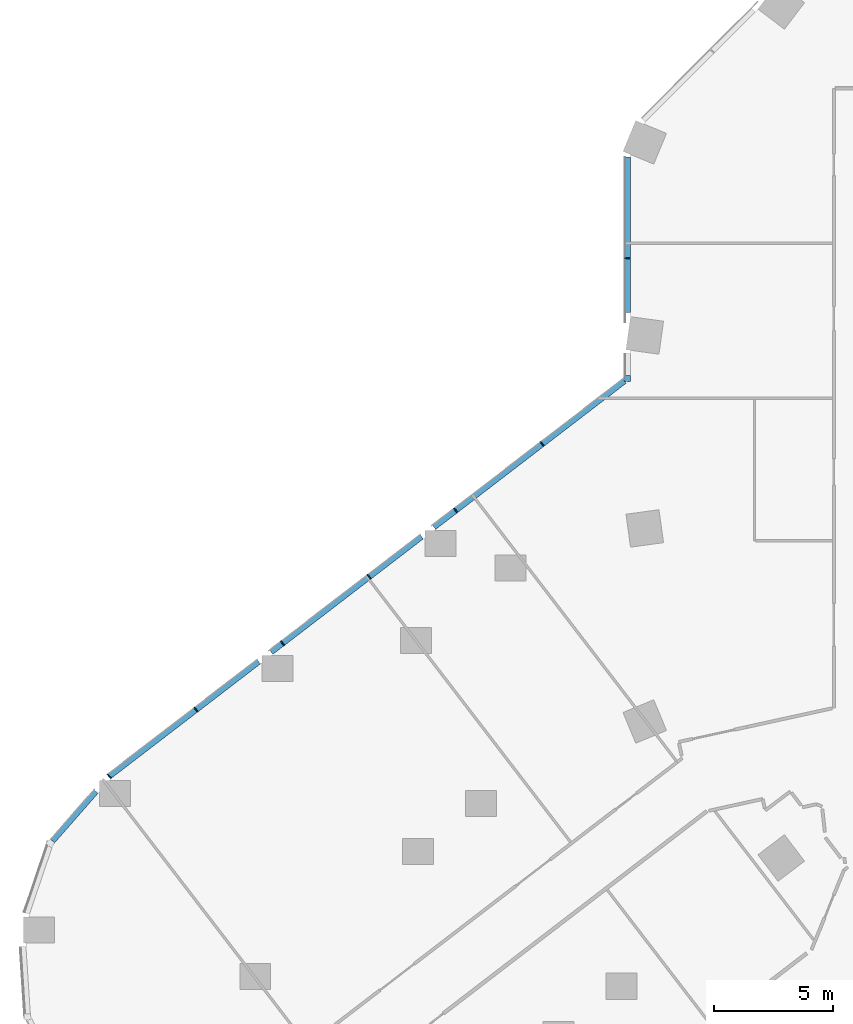
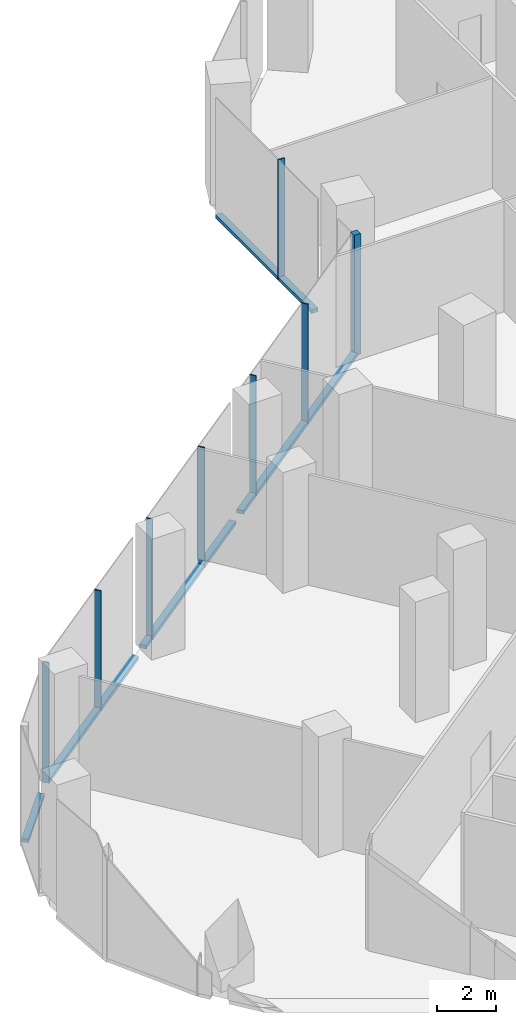
# One storey, part 5 of 29: 13 members, 3 elements without a shape of their own.
"""IFC4 building model written with IfcOpenShell, lengths in metres."""

from ifc_helpers import new_model, si_unit, direction, frame, origin, origin_2d, place, context, subcontext, project, spatial, rectangle, extrude, material, material_profile, profile_set, type_object, element, aggregate, save


model = new_model("IFC4")

# Units and contexts
model_context = context("Model", 3, precision=1e-05, world=origin(), true_north=direction((0.0, 1.0)))
body_context = subcontext(model_context, "Body", "Model", "MODEL_VIEW")
ifc_project = project(units=[si_unit("LENGTHUNIT", "METRE"), si_unit("AREAUNIT", "SQUARE_METRE"), si_unit("VOLUMEUNIT", "CUBIC_METRE"), si_unit("PLANEANGLEUNIT", "RADIAN"), si_unit("MASSUNIT", "GRAM", prefix="KILO")], contexts=[model_context])

# Site, building, storey
site_placement = place(None, origin())
site = spatial("IfcSite", under=ifc_project, at=site_placement, CompositionType="ELEMENT")
building_placement = place(site_placement, origin())
building = spatial("IfcBuilding", under=site, at=building_placement, Name="Orlundy Tower", CompositionType="ELEMENT")
storey_placement = place(building_placement, frame((0.0, 0.0, 15.5)))
storey = spatial("IfcBuildingStorey", under=building, at=storey_placement, Name="L02", CompositionType="ELEMENT", Elevation=15.5)

# Curtain wall, member
ifc_material_1 = material(Name="Aluminium bronze anodised", Category="aluminium")
curtain_wall_type = type_object("IfcCurtainWallType", Name="CW2 wall", PredefinedType="NOTDEFINED", material=ifc_material_1)
curtain_wall_1_placement = place(storey_placement, origin())
curtain_wall_1 = element("IfcCurtainWall", 1, at=curtain_wall_1_placement, inside=storey, type_object=curtain_wall_type, Name="CW2 run 013", PredefinedType="NOTDEFINED")
ifc_material_2 = material(Name="Aluminium bronze anodised", Category="aluminium")
ifc_material_profile_1 = material_profile(ifc_material_2, rectangle(XDim=0.25, YDim=0.25, at=origin_2d()), Name="CW2 corner post 250x250")
ifc_profile_set_1 = profile_set([ifc_material_profile_1], Name="Aluminium bronze anodised")
member_type_1 = type_object("IfcMemberType", Name="CW2 corner post 250x250", PredefinedType="MULLION", material=ifc_profile_set_1)
member_1_placement = place(storey_placement, frame((-30.125, 2.251708984375, -0.39990234375), z_axis=(0.0, 0.0, 1.0), x_axis=(-1.0, 0.0, 0.0)))
member_1 = element("IfcMember", 2, at=member_1_placement, type_object=member_type_1, Name="CW2 mullion 32", PredefinedType="MULLION", context=body_context, shape_type="SweptSolid", body=[
    extrude(rectangle(XDim=0.25, YDim=0.25, at=origin_2d()), origin(), (0.0, 0.0, 1.0), 5.0),
])

# Curtain wall, members
curtain_wall_2_placement = place(storey_placement, origin())
curtain_wall_2 = element("IfcCurtainWall", 3, at=curtain_wall_2_placement, inside=storey, type_object=curtain_wall_type, Name="CW2 run 012", PredefinedType="NOTDEFINED")
ifc_material_3 = material(Name="Aluminium bronze anodised", Category="aluminium")
ifc_material_profile_2 = material_profile(ifc_material_3, rectangle(XDim=0.25, YDim=0.050048828125, at=origin_2d()), Name="CW2 mullion 50x250")
ifc_profile_set_2 = profile_set([ifc_material_profile_2], Name="Aluminium bronze anodised")
member_type_2 = type_object("IfcMemberType", Name="CW2 mullion 50x250", PredefinedType="MULLION", material=ifc_profile_set_2)
member_2_placement = place(storey_placement, frame((-51.928955078125, -14.479248046875, -0.39990234375), z_axis=(0.0, 0.0, 1.0), x_axis=(-0.683605084665, 0.729852100237, 0.0)))
member_2 = element("IfcMember", 4, at=member_2_placement, type_object=member_type_2, Name="CW2 mullion 26", PredefinedType="MULLION", context=body_context, shape_type="SweptSolid", body=[
    extrude(rectangle(XDim=0.25, YDim=0.050048828125, at=origin_2d()), origin(), (0.0, 0.0, 1.0), 5.0),
])
member_3_placement = place(storey_placement, frame((-48.278564453125, -11.67822265625, -0.39990234375), z_axis=(0.0, 0.0, 1.0), x_axis=(-0.608767752232, 0.793348488271, 0.0)))
member_3 = element("IfcMember", 5, at=member_3_placement, type_object=member_type_2, Name="CW2 mullion 27", PredefinedType="MULLION", context=body_context, shape_type="SweptSolid", body=[
    extrude(rectangle(XDim=0.25, YDim=0.050048828125, at=origin_2d()), origin(), (0.0, 0.0, 1.0), 5.0),
])
member_4_placement = place(storey_placement, frame((-44.63818359375, -8.884765625, -0.39990234375), z_axis=(0.0, 0.0, 1.0), x_axis=(-0.608767752232, 0.793348488271, 0.0)))
member_4 = element("IfcMember", 6, at=member_4_placement, type_object=member_type_2, Name="CW2 mullion 28", PredefinedType="MULLION", context=body_context, shape_type="SweptSolid", body=[
    extrude(rectangle(XDim=0.25, YDim=0.050048828125, at=origin_2d()), origin(), (0.0, 0.0, 1.0), 5.0),
])
member_5_placement = place(storey_placement, frame((-40.99755859375, -6.09130859375, -0.39990234375), z_axis=(0.0, 0.0, 1.0), x_axis=(-0.608767752232, 0.793348488271, 0.0)))
member_5 = element("IfcMember", 7, at=member_5_placement, type_object=member_type_2, Name="CW2 mullion 29", PredefinedType="MULLION", context=body_context, shape_type="SweptSolid", body=[
    extrude(rectangle(XDim=0.25, YDim=0.050048828125, at=origin_2d()), origin(), (0.0, 0.0, 1.0), 5.0),
])
member_6_placement = place(storey_placement, frame((-37.357177734375, -3.2978515625, -0.39990234375), z_axis=(0.0, 0.0, 1.0), x_axis=(-0.608767752232, 0.793348488271, 0.0)))
member_6 = element("IfcMember", 8, at=member_6_placement, type_object=member_type_2, Name="CW2 mullion 30", PredefinedType="MULLION", context=body_context, shape_type="SweptSolid", body=[
    extrude(rectangle(XDim=0.25, YDim=0.050048828125, at=origin_2d()), origin(), (0.0, 0.0, 1.0), 5.0),
])
member_7_placement = place(storey_placement, frame((-33.716552734375, -0.50439453125, -0.39990234375), z_axis=(0.0, 0.0, 1.0), x_axis=(-0.608767752232, 0.793348488271, 0.0)))
member_7 = element("IfcMember", 9, at=member_7_placement, type_object=member_type_2, Name="CW2 mullion 31", PredefinedType="MULLION", context=body_context, shape_type="SweptSolid", body=[
    extrude(rectangle(XDim=0.25, YDim=0.050048828125, at=origin_2d()), origin(), (0.0, 0.0, 1.0), 5.0),
])

# Member
member_8_placement = place(storey_placement, frame((-30.125, 7.30810546875, -0.39990234375), z_axis=(0.0, 0.0, 1.0), x_axis=(-1.0, 0.0, 0.0)))
member_8 = element("IfcMember", 10, at=member_8_placement, type_object=member_type_2, Name="CW2 mullion 33", PredefinedType="MULLION", context=body_context, shape_type="SweptSolid", body=[
    extrude(rectangle(XDim=0.25, YDim=0.050048828125, at=origin_2d()), origin(), (0.0, 0.0, 1.0), 5.0),
])

# Curtain wall, member
curtain_wall_3_placement = place(storey_placement, origin())
curtain_wall_3 = element("IfcCurtainWall", 11, at=curtain_wall_3_placement, inside=storey, type_object=curtain_wall_type, Name="CW2 run 011", PredefinedType="NOTDEFINED")
ifc_material_4 = material(Name="Aluminium bronze anodised", Category="aluminium")
ifc_material_profile_3 = material_profile(ifc_material_4, rectangle(XDim=0.25, YDim=0.14990234375, at=origin_2d()), Name="CW2 transom 250x150")
ifc_profile_set_3 = profile_set([ifc_material_profile_3], Name="Aluminium bronze anodised")
member_type_3 = type_object("IfcMemberType", Name="CW2 transom 250x150", PredefinedType="USERDEFINED", material=ifc_profile_set_3)
member_9_placement = place(storey_placement, frame((-54.31494140625, -17.2001953125, -0.324951171875), z_axis=(0.659314701378, 0.751867092342, 0.0), x_axis=(-0.751867092342, 0.659314701378, 0.0)))
member_9 = element("IfcMember", 12, at=member_9_placement, type_object=member_type_3, Name="CW2 transom", ObjectType="TRANSOM", PredefinedType="USERDEFINED", context=body_context, shape_type="SweptSolid", body=[
    extrude(rectangle(XDim=0.25, YDim=0.14990234375, at=origin_2d()), origin(), (0.0, 0.0, 1.0), 2.7724609375),
])
aggregate(curtain_wall_3, [member_9])

# Member
member_10_placement = place(storey_placement, frame((-51.908935546875, -14.464111328125, -0.324951171875), z_axis=(0.793344721473, 0.608772661107, 0.0), x_axis=(-0.608772661107, 0.793344721473, 0.0)))
member_10 = element("IfcMember", 13, at=member_10_placement, type_object=member_type_3, Name="CW2 transom", ObjectType="TRANSOM", PredefinedType="USERDEFINED", context=body_context, shape_type="SweptSolid", body=[
    extrude(rectangle(XDim=0.25, YDim=0.14990234375, at=origin_2d()), origin(), (0.0, 0.0, 1.0), 7.902099609375),
])

member_11_placement = place(storey_placement, frame((-45.119140625, -9.25390625, -0.324951171875), z_axis=(0.793355048081, 0.608759203367, 0.0), x_axis=(-0.608759203367, 0.793355048081, 0.0)))
member_11 = element("IfcMember", 14, at=member_11_placement, type_object=member_type_3, Name="CW2 transom", ObjectType="TRANSOM", PredefinedType="USERDEFINED", context=body_context, shape_type="SweptSolid", body=[
    extrude(rectangle(XDim=0.25, YDim=0.14990234375, at=origin_2d()), origin(), (0.0, 0.0, 1.0), 7.976318359375),
])

member_12_placement = place(storey_placement, frame((-38.26953125, -3.998046875, -0.324951171875), z_axis=(0.793343505861, 0.608774245273, 0.0), x_axis=(-0.608774245273, 0.793343505861, 0.0)))
member_12 = element("IfcMember", 15, at=member_12_placement, type_object=member_type_3, Name="CW2 transom", ObjectType="TRANSOM", PredefinedType="USERDEFINED", context=body_context, shape_type="SweptSolid", body=[
    extrude(rectangle(XDim=0.25, YDim=0.14990234375, at=origin_2d()), origin(), (0.0, 0.0, 1.0), 10.108642578125),
])

aggregate(curtain_wall_2, [member_2, member_3, member_4, member_5, member_6, member_7, member_10, member_11, member_12])

member_13_placement = place(storey_placement, frame((-30.125, 5.01708984375, -0.324951171875), z_axis=(0.0, 1.0, 0.0), x_axis=(-1.0, 0.0, 0.0)))
member_13 = element("IfcMember", 16, at=member_13_placement, type_object=member_type_3, Name="CW2 transom", ObjectType="TRANSOM", PredefinedType="USERDEFINED", context=body_context, shape_type="SweptSolid", body=[
    extrude(rectangle(XDim=0.25, YDim=0.14990234375, at=origin_2d()), origin(), (0.0, 0.0, 1.0), 6.541259765625),
])

aggregate(curtain_wall_1, [member_1, member_8, member_13])

save(model, "model.ifc")
